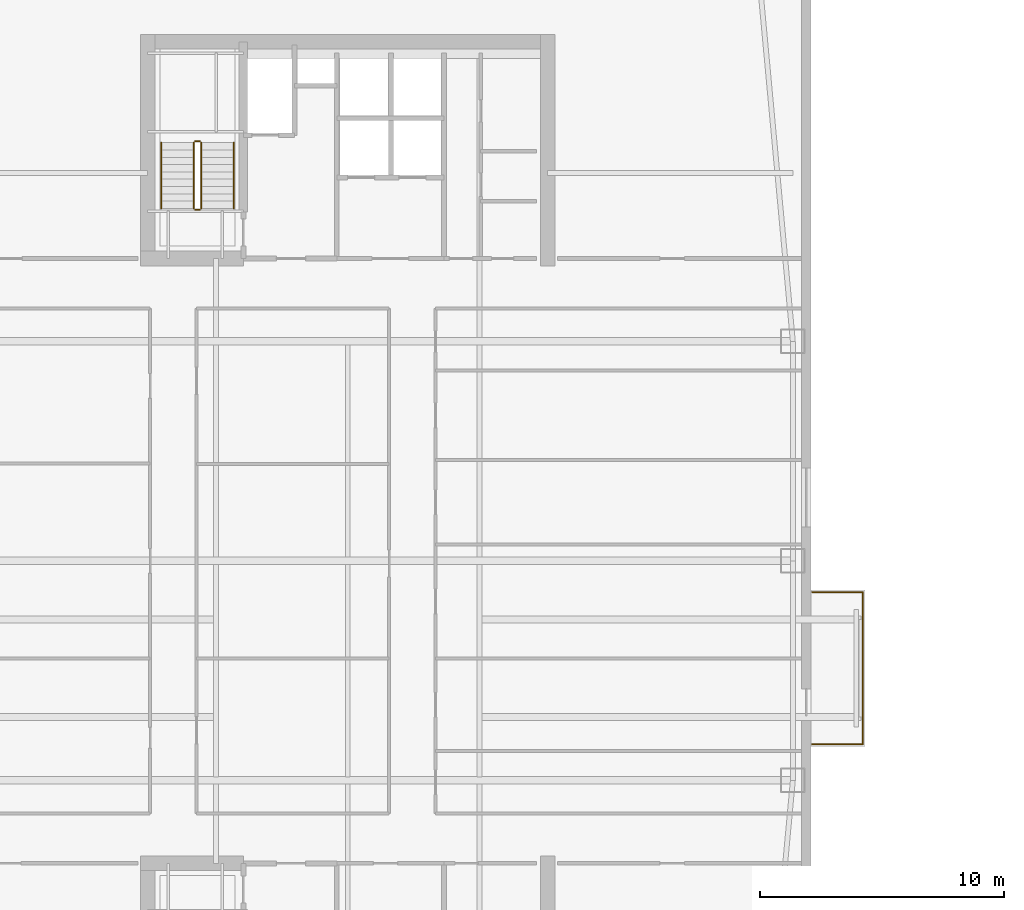
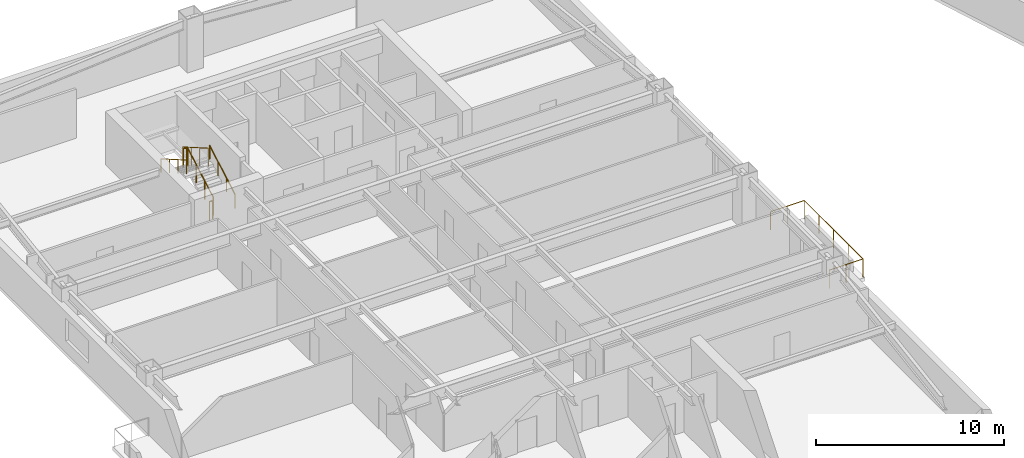
# One storey, part 12 of 14: 7 railings.
"""IFC4 building model written with IfcOpenShell, lengths in metres."""

import ifcopenshell
import ifcopenshell.guid

model = None  # the IFC model being written
_history = None  # IfcOwnerHistory: only IFC2X3 demands one
_inside = {}  # id of a spatial element -> (the spatial element, [elements in it])
_under = {}  # id of a project, library or spatial element -> (it, [spatial elements below it])
_declared = {}  # id of a project -> (the project, [libraries it declares])
_typed = {}  # id of a type object -> (the type object, [elements of that type])
_made_of = {}  # id of a material, layer set ... -> (it, [elements and type objects made of it])


def new_model(schema):
    """Start an empty IFC model of exactly this schema.

    Asked for "IFC4X3", IfcOpenShell would pick the latest addendum, in which some entities
    have other attributes; the version numbers below select the first issue.
    IFC2X3 requires an IfcOwnerHistory on every rooted entity: one is made here for all.
    """
    global model, _history
    if schema == "IFC4X3":
        model = ifcopenshell.file(schema_version=(4, 3, 0, 0))
    else:
        model = ifcopenshell.file(schema=schema)
    _inside.clear()
    _under.clear()
    _declared.clear()
    _typed.clear()
    _made_of.clear()
    _history = None
    if model.schema == "IFC2X3":
        org = make("IfcOrganization", Name="unknown")
        user = make(
            "IfcPersonAndOrganization",
            ThePerson=make("IfcPerson", FamilyName="unknown"),
            TheOrganization=org,
        )
        app = make(
            "IfcApplication",
            ApplicationDeveloper=org,
            Version="unknown",
            ApplicationFullName="unknown",
            ApplicationIdentifier="unknown",
        )
        _history = make(
            "IfcOwnerHistory",
            OwningUser=user,
            OwningApplication=app,
            ChangeAction="ADDED",
            CreationDate=0,
        )
    return model


def make(cls, **values):
    """One entity of the class cls with the attributes given. An attribute that is None is left unset."""
    return model.create_entity(
        cls, **{name: value for name, value in values.items() if value is not None}
    )


def rooted(cls, **values):
    """An entity with a GlobalId (a new one), such as an element, a storey or a relation."""
    return make(cls, GlobalId=ifcopenshell.guid.new(), OwnerHistory=_history, **values)


def si_unit(unit_type, name, prefix=None):
    """IfcSIUnit, for example si_unit("LENGTHUNIT", "METRE", prefix="MILLI")."""
    return make("IfcSIUnit", UnitType=unit_type, Prefix=prefix, Name=name)


def assignment(units):
    """IfcUnitAssignment: the units of a project."""
    return None if units is None else make("IfcUnitAssignment", Units=units)


def point(xyz):
    """IfcCartesianPoint."""
    return None if xyz is None else make("IfcCartesianPoint", Coordinates=xyz)


def direction(xyz):
    """IfcDirection."""
    return None if xyz is None else make("IfcDirection", DirectionRatios=xyz)


def frame(location, z_axis=None, x_axis=None):
    """IfcAxis2Placement3D, a coordinate frame: its origin and axes. An axis left out is left unset."""
    return make(
        "IfcAxis2Placement3D",
        Location=point(location),
        Axis=direction(z_axis),
        RefDirection=direction(x_axis),
    )


def frame_2d(location, x_axis=None):
    """IfcAxis2Placement2D, a coordinate frame in the plane: its origin and x axis."""
    return make(
        "IfcAxis2Placement2D", Location=point(location), RefDirection=direction(x_axis)
    )


def origin():
    """The frame at (0, 0, 0) with its axes left unset."""
    return frame((0.0, 0.0, 0.0))


def origin_2d():
    """The frame at (0, 0) in the plane with its x axis left unset."""
    return frame_2d((0.0, 0.0))


def place(relative_to, where):
    """IfcLocalPlacement: puts the frame where relative to a parent placement (None: the world)."""
    return make(
        "IfcLocalPlacement", PlacementRelTo=relative_to, RelativePlacement=where
    )


def context(
    kind, dimensions, precision=None, world=None, true_north=None, identifier=None
):
    """IfcGeometricRepresentationContext, for example the 3D "Model" context."""
    return make(
        "IfcGeometricRepresentationContext",
        ContextIdentifier=identifier,
        ContextType=kind,
        CoordinateSpaceDimension=dimensions,
        Precision=precision,
        WorldCoordinateSystem=world,
        TrueNorth=true_north,
    )


def subcontext(parent, identifier, kind, view, scale=None):
    """IfcGeometricRepresentationSubContext, for example "Body" below "Model"."""
    return make(
        "IfcGeometricRepresentationSubContext",
        ContextIdentifier=identifier,
        ContextType=kind,
        ParentContext=parent,
        TargetScale=scale,
        TargetView=view,
    )


def project(units=None, contexts=None):
    """IfcProject with its units and contexts."""
    return rooted(
        "IfcProject",
        Name="project",
        RepresentationContexts=contexts,
        UnitsInContext=assignment(units),
    )


def spatial(cls, under=None, at=None, **own):
    """A site, building, storey or space (cls), placed at a placement, below another one or the project."""
    s = rooted(cls, ObjectPlacement=at, **own)
    if under is not None:
        _under.setdefault(under.id(), (under, []))[1].append(s)
    return s


def profile(cls, at=None, kind="AREA", **sizes):
    """A parametric profile (cls). Its sizes go by their IFC names, for example OverallWidth=200.0."""
    return make(cls, ProfileType=kind, Position=at, **sizes)


def circle(**sizes):
    """IfcCircleProfileDef."""
    return profile("IfcCircleProfileDef", **sizes)


def extrude(swept, where, along, depth):
    """IfcExtrudedAreaSolid: the profile swept, set in the frame where, extruded along a direction by depth."""
    return make(
        "IfcExtrudedAreaSolid",
        SweptArea=swept,
        Position=where,
        ExtrudedDirection=direction(along),
        Depth=depth,
    )


def shape(context_of_items, identifier, shape_type, items):
    """IfcShapeRepresentation: the items that make up one representation, for example the "Body"."""
    return make(
        "IfcShapeRepresentation",
        ContextOfItems=context_of_items,
        RepresentationIdentifier=identifier,
        RepresentationType=shape_type,
        Items=items,
    )


def material(Name=None, Category=None):
    """IfcMaterial."""
    return make("IfcMaterial", Name=Name, Category=Category)


def made_of(thing, what):
    """Note that an element or type object is made of a material, layer set ...; save() writes the relation."""
    if what is not None:
        _made_of.setdefault(what.id(), (what, []))[1].append(thing)
    return thing


def type_object(cls, material=None, **own):
    """A type object (cls), such as IfcWallType, which elements share."""
    return made_of(rooted(cls, **own), material)


def element(
    cls,
    number,
    at=None,
    inside=None,
    cuts=None,
    type_object=None,
    material=None,
    context=None,
    identifier="Body",
    shape_type=None,
    held_by="IfcProductDefinitionShape",
    body=None,
    shapes=None,
    **own,
):
    """One element of the class cls, such as IfcWall. Its Tag is "e" and its number.

    at: its placement. inside: the storey or other place that contains it. cuts: it is an
    opening in that element (IfcRelVoidsElement). A single representation is given by context,
    identifier, shape_type and body (its items); several are given by shapes. held_by: the class
    of the entity that holds the representations. save() writes the other relations.
    """
    e = rooted(cls, Tag="e%d" % number, ObjectPlacement=at, **own)
    if body is not None:
        shapes = [shape(context, identifier, shape_type, body)]
    if shapes is not None:
        e.Representation = make(held_by, Representations=shapes)
    if inside is not None:
        _inside.setdefault(inside.id(), (inside, []))[1].append(e)
    if cuts is not None:
        rooted(
            "IfcRelVoidsElement", RelatingBuildingElement=cuts, RelatedOpeningElement=e
        )
    if type_object is not None:
        _typed.setdefault(type_object.id(), (type_object, []))[1].append(e)
    return made_of(e, material)


def aggregate(whole, parts):
    """IfcRelAggregates: a whole, such as a stair, and the parts it consists of."""
    return rooted("IfcRelAggregates", RelatingObject=whole, RelatedObjects=parts)


def save(model, path):
    """Write the relations noted so far, then the file.

    IfcRelAggregates (storeys below a building ...), IfcRelContainedInSpatialStructure (elements
    in a storey), IfcRelDefinesByType, IfcRelAssociatesMaterial and IfcRelDeclares: one each for
    every whole, place, type object, material and project.
    """
    for whole, parts in _under.values():
        aggregate(whole, parts)
    for where, things in _inside.values():
        rooted(
            "IfcRelContainedInSpatialStructure",
            RelatedElements=things,
            RelatingStructure=where,
        )
    for kind, things in _typed.values():
        rooted("IfcRelDefinesByType", RelatedObjects=things, RelatingType=kind)
    for what, things in _made_of.values():
        rooted("IfcRelAssociatesMaterial", RelatedObjects=things, RelatingMaterial=what)
    for by, libraries in _declared.values():
        rooted("IfcRelDeclares", RelatingContext=by, RelatedDefinitions=libraries)
    model.write(path)


model = new_model("IFC4")

# Units and contexts
model_context = context("Model", 3, precision=1e-05, world=origin(), true_north=direction((0.0, 1.0)))
body_context = subcontext(model_context, "Body", "Model", "MODEL_VIEW")
ifc_project = project(units=[si_unit("LENGTHUNIT", "METRE"), si_unit("AREAUNIT", "SQUARE_METRE"), si_unit("VOLUMEUNIT", "CUBIC_METRE"), si_unit("PLANEANGLEUNIT", "RADIAN"), si_unit("MASSUNIT", "GRAM", prefix="KILO")], contexts=[model_context])

# Site, building, storey
site_placement = place(None, origin())
site = spatial("IfcSite", under=ifc_project, at=site_placement, CompositionType="ELEMENT")
building_placement = place(site_placement, origin())
building = spatial("IfcBuilding", under=site, at=building_placement, Name="Qiaolan Cultural Towers", CompositionType="ELEMENT")
storey_placement = place(building_placement, frame((0.0, 0.0, 124.199951171875)))
storey = spatial("IfcBuildingStorey", under=building, at=storey_placement, Name="L32", CompositionType="ELEMENT", Elevation=124.199951171875)

# Railings
ifc_material_1 = material(Name="Laminated SentryGlas & Stainless Steel S31608 Balustrade", Category="steel")
railing_type_1 = type_object("IfcRailingType", Name="GRD-TERR-1200", PredefinedType="BALUSTRADE", material=ifc_material_1)
railing_1_placement = place(storey_placement, frame((49.050048828125, 26.47998046875, 0.0)))
element("IfcRailing", 1, at=railing_1_placement, inside=storey, type_object=railing_type_1, Name="L32 T1 Tree Balcony Guardrail E", PredefinedType="BALUSTRADE", context=body_context, shape_type="SweptSolid", body=[
    extrude(circle(Radius=0.02392578125, at=origin_2d()), frame((0.0, 0.0, 1.17578125), z_axis=(1.0, 0.0, 0.0), x_axis=(0.0, 1.0, 0.0)), (0.0, 0.0, 1.0), 2.070068359375),
    extrude(circle(Radius=0.02392578125, at=origin_2d()), frame((2.070068359375, 0.0, 1.17578125), z_axis=(0.0, 1.0, 0.0), x_axis=(-1.0, 0.0, 0.0)), (0.0, 0.0, 1.0), 6.239990234375),
    extrude(circle(Radius=0.02392578125, at=origin_2d()), frame((2.070068359375, 6.239990234375, 1.17578125), z_axis=(-1.0, 0.0, 0.0), x_axis=(0.0, -1.0, 0.0)), (0.0, 0.0, 1.0), 2.070068359375),
    extrude(circle(Radius=0.02099609375, at=origin_2d()), origin(), (0.0, 0.0, 1.0), 1.15185546875),
    extrude(circle(Radius=0.02099609375, at=origin_2d()), frame((1.03515625, 0.0, 0.0)), (0.0, 0.0, 1.0), 1.15185546875),
    extrude(circle(Radius=0.02099609375, at=origin_2d()), frame((2.070068359375, 0.0, 0.0)), (0.0, 0.0, 1.0), 1.15185546875),
    extrude(circle(Radius=0.02099609375, at=origin_2d()), frame((2.070068359375, 1.56005859375, 0.0)), (0.0, 0.0, 1.0), 1.15185546875),
    extrude(circle(Radius=0.02099609375, at=origin_2d()), frame((2.070068359375, 3.1201171875, 0.0)), (0.0, 0.0, 1.0), 1.15185546875),
    extrude(circle(Radius=0.02099609375, at=origin_2d()), frame((2.070068359375, 4.679931640625, 0.0)), (0.0, 0.0, 1.0), 1.15185546875),
    extrude(circle(Radius=0.02099609375, at=origin_2d()), frame((2.070068359375, 6.239990234375, 0.0)), (0.0, 0.0, 1.0), 1.15185546875),
    extrude(circle(Radius=0.02099609375, at=origin_2d()), frame((1.03515625, 6.239990234375, 0.0)), (0.0, 0.0, 1.0), 1.15185546875),
    extrude(circle(Radius=0.02099609375, at=origin_2d()), frame((0.0, 6.239990234375, 0.0)), (0.0, 0.0, 1.0), 1.15185546875),
])
ifc_material_2 = material(Name="Galvanized Painted Steel Stair Guardrail", Category="steel")
railing_type_2 = type_object("IfcRailingType", Name="RL-STAIR-GRD", PredefinedType="GUARDRAIL", material=ifc_material_2)
railing_2_placement = place(storey_placement, frame((23.989990234375, 48.449951171875, 0.172607421875)))
element("IfcRailing", 2, at=railing_2_placement, inside=storey, type_object=railing_type_2, Name="L32 ST-W2 stair guard 1", PredefinedType="GUARDRAIL", context=body_context, shape_type="SweptSolid", body=[
    extrude(circle(Radius=0.02392578125, at=origin_2d()), frame((0.0, 0.0, 1.17578125), z_axis=(0.0, 0.866903762492, 0.498475542607), x_axis=(-1.0, 0.0, 0.0)), (0.0, 0.0, 1.0), 3.114501953125),
    extrude(circle(Radius=0.02099609375, at=origin_2d()), origin(), (0.0, 0.0, 1.0), 1.15185546875),
    extrude(circle(Radius=0.02099609375, at=origin_2d()), frame((0.0, 0.89990234375, 0.517578125)), (0.0, 0.0, 1.0), 1.15185546875),
    extrude(circle(Radius=0.02099609375, at=origin_2d()), frame((0.0, 1.800048828125, 1.034912109375)), (0.0, 0.0, 1.0), 1.15185546875),
    extrude(circle(Radius=0.02099609375, at=origin_2d()), frame((0.0, 2.699951171875, 1.552490234375)), (0.0, 0.0, 1.0), 1.15185546875),
])
railing_3_placement = place(storey_placement, frame((23.93994140625, 51.199951171875, 1.72509765625)))
element("IfcRailing", 3, at=railing_3_placement, inside=storey, type_object=railing_type_2, Name="L32 ST-W2 stair guard 2", PredefinedType="GUARDRAIL", context=body_context, shape_type="SweptSolid", body=[
    extrude(circle(Radius=0.02392578125, at=origin_2d()), frame((0.0, 0.0, 1.17578125), z_axis=(-1.0, 0.0, 0.0), x_axis=(0.0, -1.0, 0.0)), (0.0, 0.0, 1.0), 0.199951171875),
    extrude(circle(Radius=0.02099609375, at=origin_2d()), origin(), (0.0, 0.0, 1.0), 1.15185546875),
    extrude(circle(Radius=0.02099609375, at=origin_2d()), frame((-0.199951171875, 0.0, 0.0)), (0.0, 0.0, 1.0), 1.15185546875),
])
railing_4_placement = place(storey_placement, frame((23.68994140625, 51.14990234375, 1.8974609375)))
element("IfcRailing", 4, at=railing_4_placement, inside=storey, type_object=railing_type_2, Name="L32 ST-W2 stair guard 3", PredefinedType="GUARDRAIL", context=body_context, shape_type="SweptSolid", body=[
    extrude(circle(Radius=0.02392578125, at=origin_2d()), frame((0.0, 0.0, 1.17578125), z_axis=(0.0, -0.866903762492, 0.498475542607), x_axis=(1.0, 0.0, 0.0)), (0.0, 0.0, 1.0), 3.114501953125),
    extrude(circle(Radius=0.02099609375, at=origin_2d()), origin(), (0.0, 0.0, 1.0), 1.15185546875),
    extrude(circle(Radius=0.02099609375, at=origin_2d()), frame((0.0, -0.89990234375, 0.517578125)), (0.0, 0.0, 1.0), 1.15185546875),
    extrude(circle(Radius=0.02099609375, at=origin_2d()), frame((0.0, -1.800048828125, 1.034912109375)), (0.0, 0.0, 1.0), 1.15185546875),
    extrude(circle(Radius=0.02099609375, at=origin_2d()), frame((0.0, -2.699951171875, 1.552490234375)), (0.0, 0.0, 1.0), 1.15185546875),
])
railing_5_placement = place(storey_placement, frame((23.93994140625, 48.39990234375, 0.0)))
element("IfcRailing", 5, at=railing_5_placement, inside=storey, type_object=railing_type_2, Name="L32 ST-W2 stair guard 4", PredefinedType="GUARDRAIL", context=body_context, shape_type="SweptSolid", body=[
    extrude(circle(Radius=0.02392578125, at=origin_2d()), frame((0.0, 0.0, 1.17578125), z_axis=(-1.0, 0.0, 0.0), x_axis=(0.0, -1.0, 0.0)), (0.0, 0.0, 1.0), 0.199951171875),
    extrude(circle(Radius=0.02099609375, at=origin_2d()), origin(), (0.0, 0.0, 1.0), 1.15185546875),
    extrude(circle(Radius=0.02099609375, at=origin_2d()), frame((-0.199951171875, 0.0, 0.0)), (0.0, 0.0, 1.0), 1.15185546875),
])
ifc_material_3 = material(Name="Stainless Steel S30408 Tubular Handrail", Category="steel")
railing_type_3 = type_object("IfcRailingType", Name="RL-STAIR-HR", PredefinedType="HANDRAIL", material=ifc_material_3)
railing_6_placement = place(storey_placement, frame((25.330078125, 48.449951171875, 0.172607421875)))
element("IfcRailing", 6, at=railing_6_placement, inside=storey, type_object=railing_type_3, Name="L32 ST-W2 stair handrail 1", PredefinedType="HANDRAIL", context=body_context, shape_type="SweptSolid", body=[
    extrude(circle(Radius=0.02392578125, at=origin_2d()), frame((0.0, 0.0, 0.8759765625), z_axis=(0.0, 0.866903762492, 0.498475542607), x_axis=(-1.0, 0.0, 0.0)), (0.0, 0.0, 1.0), 3.114501953125),
    extrude(circle(Radius=0.02099609375, at=origin_2d()), origin(), (0.0, 0.0, 1.0), 0.851806640625),
    extrude(circle(Radius=0.02099609375, at=origin_2d()), frame((0.0, 0.89990234375, 0.517578125)), (0.0, 0.0, 1.0), 0.851806640625),
    extrude(circle(Radius=0.02099609375, at=origin_2d()), frame((0.0, 1.800048828125, 1.034912109375)), (0.0, 0.0, 1.0), 0.851806640625),
    extrude(circle(Radius=0.02099609375, at=origin_2d()), frame((0.0, 2.699951171875, 1.552490234375)), (0.0, 0.0, 1.0), 0.851806640625),
])
railing_7_placement = place(storey_placement, frame((22.35009765625, 51.14990234375, 1.8974609375)))
element("IfcRailing", 7, at=railing_7_placement, inside=storey, type_object=railing_type_3, Name="L32 ST-W2 stair handrail 2", PredefinedType="HANDRAIL", context=body_context, shape_type="SweptSolid", body=[
    extrude(circle(Radius=0.02392578125, at=origin_2d()), frame((0.0, 0.0, 0.8759765625), z_axis=(0.0, -0.866903762492, 0.498475542607), x_axis=(1.0, 0.0, 0.0)), (0.0, 0.0, 1.0), 3.114501953125),
    extrude(circle(Radius=0.02099609375, at=origin_2d()), origin(), (0.0, 0.0, 1.0), 0.851806640625),
    extrude(circle(Radius=0.02099609375, at=origin_2d()), frame((0.0, -0.89990234375, 0.517578125)), (0.0, 0.0, 1.0), 0.851806640625),
    extrude(circle(Radius=0.02099609375, at=origin_2d()), frame((0.0, -1.800048828125, 1.034912109375)), (0.0, 0.0, 1.0), 0.851806640625),
    extrude(circle(Radius=0.02099609375, at=origin_2d()), frame((0.0, -2.699951171875, 1.552490234375)), (0.0, 0.0, 1.0), 0.851806640625),
])

save(model, "model.ifc")
